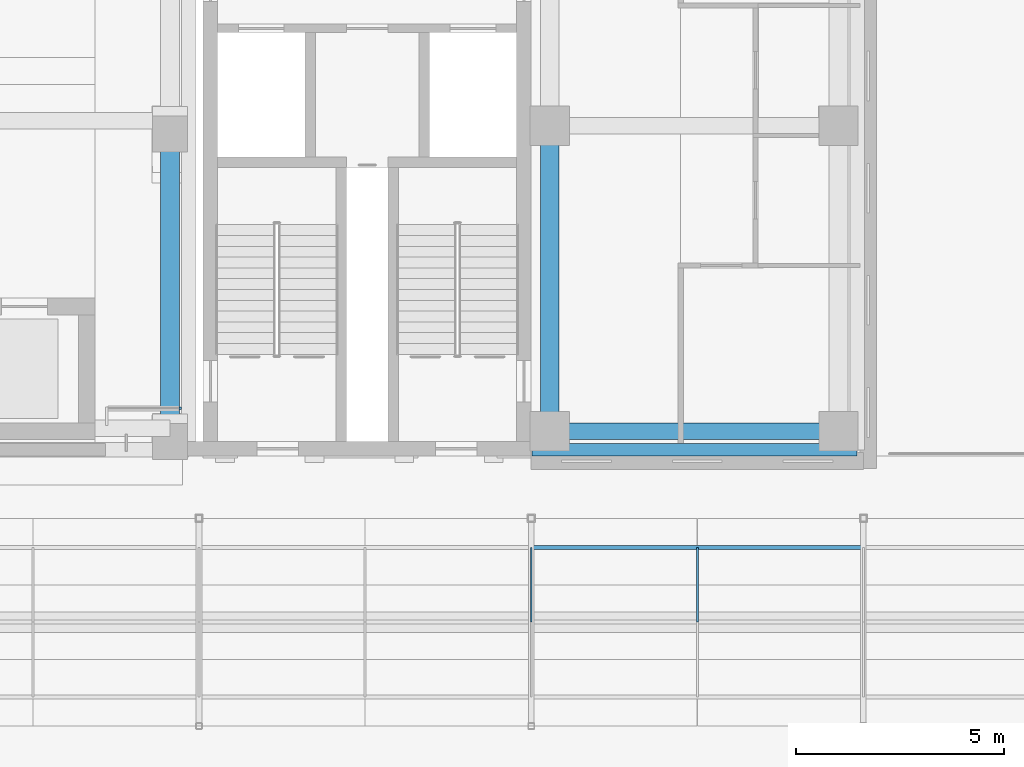
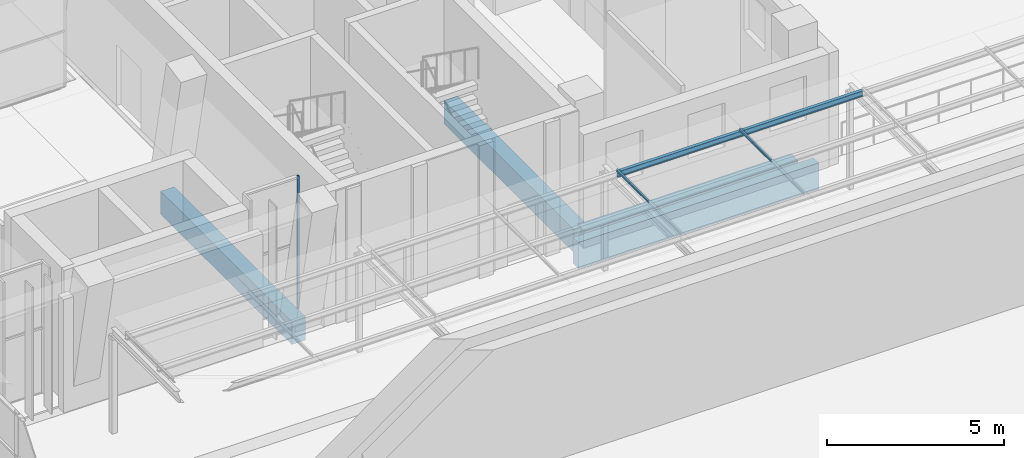
# One storey, part 42 of 144: 4 beams, 4 members, 1 element without a shape of its own.
"""IFC4 building model written with IfcOpenShell, lengths in metres."""

import ifcopenshell
import ifcopenshell.guid

model = None  # the IFC model being written
_history = None  # IfcOwnerHistory: only IFC2X3 demands one
_inside = {}  # id of a spatial element -> (the spatial element, [elements in it])
_under = {}  # id of a project, library or spatial element -> (it, [spatial elements below it])
_declared = {}  # id of a project -> (the project, [libraries it declares])
_typed = {}  # id of a type object -> (the type object, [elements of that type])
_made_of = {}  # id of a material, layer set ... -> (it, [elements and type objects made of it])


def new_model(schema):
    """Start an empty IFC model of exactly this schema.

    Asked for "IFC4X3", IfcOpenShell would pick the latest addendum, in which some entities
    have other attributes; the version numbers below select the first issue.
    IFC2X3 requires an IfcOwnerHistory on every rooted entity: one is made here for all.
    """
    global model, _history
    if schema == "IFC4X3":
        model = ifcopenshell.file(schema_version=(4, 3, 0, 0))
    else:
        model = ifcopenshell.file(schema=schema)
    _inside.clear()
    _under.clear()
    _declared.clear()
    _typed.clear()
    _made_of.clear()
    _history = None
    if model.schema == "IFC2X3":
        org = make("IfcOrganization", Name="unknown")
        user = make(
            "IfcPersonAndOrganization",
            ThePerson=make("IfcPerson", FamilyName="unknown"),
            TheOrganization=org,
        )
        app = make(
            "IfcApplication",
            ApplicationDeveloper=org,
            Version="unknown",
            ApplicationFullName="unknown",
            ApplicationIdentifier="unknown",
        )
        _history = make(
            "IfcOwnerHistory",
            OwningUser=user,
            OwningApplication=app,
            ChangeAction="ADDED",
            CreationDate=0,
        )
    return model


def make(cls, **values):
    """One entity of the class cls with the attributes given. An attribute that is None is left unset."""
    return model.create_entity(
        cls, **{name: value for name, value in values.items() if value is not None}
    )


def rooted(cls, **values):
    """An entity with a GlobalId (a new one), such as an element, a storey or a relation."""
    return make(cls, GlobalId=ifcopenshell.guid.new(), OwnerHistory=_history, **values)


def si_unit(unit_type, name, prefix=None):
    """IfcSIUnit, for example si_unit("LENGTHUNIT", "METRE", prefix="MILLI")."""
    return make("IfcSIUnit", UnitType=unit_type, Prefix=prefix, Name=name)


def assignment(units):
    """IfcUnitAssignment: the units of a project."""
    return None if units is None else make("IfcUnitAssignment", Units=units)


def point(xyz):
    """IfcCartesianPoint."""
    return None if xyz is None else make("IfcCartesianPoint", Coordinates=xyz)


def direction(xyz):
    """IfcDirection."""
    return None if xyz is None else make("IfcDirection", DirectionRatios=xyz)


def frame(location, z_axis=None, x_axis=None):
    """IfcAxis2Placement3D, a coordinate frame: its origin and axes. An axis left out is left unset."""
    return make(
        "IfcAxis2Placement3D",
        Location=point(location),
        Axis=direction(z_axis),
        RefDirection=direction(x_axis),
    )


def frame_2d(location, x_axis=None):
    """IfcAxis2Placement2D, a coordinate frame in the plane: its origin and x axis."""
    return make(
        "IfcAxis2Placement2D", Location=point(location), RefDirection=direction(x_axis)
    )


def origin():
    """The frame at (0, 0, 0) with its axes left unset."""
    return frame((0.0, 0.0, 0.0))


def origin_2d():
    """The frame at (0, 0) in the plane with its x axis left unset."""
    return frame_2d((0.0, 0.0))


def place(relative_to, where):
    """IfcLocalPlacement: puts the frame where relative to a parent placement (None: the world)."""
    return make(
        "IfcLocalPlacement", PlacementRelTo=relative_to, RelativePlacement=where
    )


def context(
    kind, dimensions, precision=None, world=None, true_north=None, identifier=None
):
    """IfcGeometricRepresentationContext, for example the 3D "Model" context."""
    return make(
        "IfcGeometricRepresentationContext",
        ContextIdentifier=identifier,
        ContextType=kind,
        CoordinateSpaceDimension=dimensions,
        Precision=precision,
        WorldCoordinateSystem=world,
        TrueNorth=true_north,
    )


def subcontext(parent, identifier, kind, view, scale=None):
    """IfcGeometricRepresentationSubContext, for example "Body" below "Model"."""
    return make(
        "IfcGeometricRepresentationSubContext",
        ContextIdentifier=identifier,
        ContextType=kind,
        ParentContext=parent,
        TargetScale=scale,
        TargetView=view,
    )


def project(units=None, contexts=None):
    """IfcProject with its units and contexts."""
    return rooted(
        "IfcProject",
        Name="project",
        RepresentationContexts=contexts,
        UnitsInContext=assignment(units),
    )


def spatial(cls, under=None, at=None, **own):
    """A site, building, storey or space (cls), placed at a placement, below another one or the project."""
    s = rooted(cls, ObjectPlacement=at, **own)
    if under is not None:
        _under.setdefault(under.id(), (under, []))[1].append(s)
    return s


def profile(cls, at=None, kind="AREA", **sizes):
    """A parametric profile (cls). Its sizes go by their IFC names, for example OverallWidth=200.0."""
    return make(cls, ProfileType=kind, Position=at, **sizes)


def rectangle(**sizes):
    """IfcRectangleProfileDef."""
    return profile("IfcRectangleProfileDef", **sizes)


def i_section(**sizes):
    """IfcIShapeProfileDef."""
    return profile("IfcIShapeProfileDef", **sizes)


def extrude(swept, where, along, depth):
    """IfcExtrudedAreaSolid: the profile swept, set in the frame where, extruded along a direction by depth."""
    return make(
        "IfcExtrudedAreaSolid",
        SweptArea=swept,
        Position=where,
        ExtrudedDirection=direction(along),
        Depth=depth,
    )


def shape(context_of_items, identifier, shape_type, items):
    """IfcShapeRepresentation: the items that make up one representation, for example the "Body"."""
    return make(
        "IfcShapeRepresentation",
        ContextOfItems=context_of_items,
        RepresentationIdentifier=identifier,
        RepresentationType=shape_type,
        Items=items,
    )


def material(Name=None, Category=None):
    """IfcMaterial."""
    return make("IfcMaterial", Name=Name, Category=Category)


def material_profile(
    of_material, cross_section, Name=None, Category=None, Priority=None
):
    """IfcMaterialProfile: a cross section and its material."""
    return make(
        "IfcMaterialProfile",
        Name=Name,
        Material=of_material,
        Profile=cross_section,
        Priority=Priority,
        Category=Category,
    )


def profile_set(profiles, Name=None, composite=None):
    """IfcMaterialProfileSet."""
    return make(
        "IfcMaterialProfileSet",
        Name=Name,
        MaterialProfiles=profiles,
        CompositeProfile=composite,
    )


def made_of(thing, what):
    """Note that an element or type object is made of a material, layer set ...; save() writes the relation."""
    if what is not None:
        _made_of.setdefault(what.id(), (what, []))[1].append(thing)
    return thing


def type_object(cls, material=None, **own):
    """A type object (cls), such as IfcWallType, which elements share."""
    return made_of(rooted(cls, **own), material)


def element(
    cls,
    number,
    at=None,
    inside=None,
    cuts=None,
    type_object=None,
    material=None,
    context=None,
    identifier="Body",
    shape_type=None,
    held_by="IfcProductDefinitionShape",
    body=None,
    shapes=None,
    **own,
):
    """One element of the class cls, such as IfcWall. Its Tag is "e" and its number.

    at: its placement. inside: the storey or other place that contains it. cuts: it is an
    opening in that element (IfcRelVoidsElement). A single representation is given by context,
    identifier, shape_type and body (its items); several are given by shapes. held_by: the class
    of the entity that holds the representations. save() writes the other relations.
    """
    e = rooted(cls, Tag="e%d" % number, ObjectPlacement=at, **own)
    if body is not None:
        shapes = [shape(context, identifier, shape_type, body)]
    if shapes is not None:
        e.Representation = make(held_by, Representations=shapes)
    if inside is not None:
        _inside.setdefault(inside.id(), (inside, []))[1].append(e)
    if cuts is not None:
        rooted(
            "IfcRelVoidsElement", RelatingBuildingElement=cuts, RelatedOpeningElement=e
        )
    if type_object is not None:
        _typed.setdefault(type_object.id(), (type_object, []))[1].append(e)
    return made_of(e, material)


def aggregate(whole, parts):
    """IfcRelAggregates: a whole, such as a stair, and the parts it consists of."""
    return rooted("IfcRelAggregates", RelatingObject=whole, RelatedObjects=parts)


def save(model, path):
    """Write the relations noted so far, then the file.

    IfcRelAggregates (storeys below a building ...), IfcRelContainedInSpatialStructure (elements
    in a storey), IfcRelDefinesByType, IfcRelAssociatesMaterial and IfcRelDeclares: one each for
    every whole, place, type object, material and project.
    """
    for whole, parts in _under.values():
        aggregate(whole, parts)
    for where, things in _inside.values():
        rooted(
            "IfcRelContainedInSpatialStructure",
            RelatedElements=things,
            RelatingStructure=where,
        )
    for kind, things in _typed.values():
        rooted("IfcRelDefinesByType", RelatedObjects=things, RelatingType=kind)
    for what, things in _made_of.values():
        rooted("IfcRelAssociatesMaterial", RelatedObjects=things, RelatingMaterial=what)
    for by, libraries in _declared.values():
        rooted("IfcRelDeclares", RelatingContext=by, RelatedDefinitions=libraries)
    model.write(path)


model = new_model("IFC4")

# Units and contexts
model_context = context("Model", 3, precision=1e-05, world=origin(), true_north=direction((0.0, 1.0)))
body_context = subcontext(model_context, "Body", "Model", "MODEL_VIEW")
ifc_project = project(units=[si_unit("LENGTHUNIT", "METRE"), si_unit("AREAUNIT", "SQUARE_METRE"), si_unit("VOLUMEUNIT", "CUBIC_METRE"), si_unit("PLANEANGLEUNIT", "RADIAN"), si_unit("MASSUNIT", "GRAM", prefix="KILO")], contexts=[model_context])

# Site, building, storey
site_placement = place(None, origin())
site = spatial("IfcSite", under=ifc_project, at=site_placement, CompositionType="ELEMENT")
building_placement = place(site_placement, origin())
building = spatial("IfcBuilding", under=site, at=building_placement, Name="Lantern Court Media Centre", CompositionType="ELEMENT")
storey_placement = place(building_placement, origin())
storey = spatial("IfcBuildingStorey", under=building, at=storey_placement, Name="L00", CompositionType="ELEMENT", Elevation=0.0)

# Members
ifc_material_1 = material(Name="Steel S355J2 (EN 10025-2)", Category="steel")
ifc_material_profile_1 = material_profile(ifc_material_1, i_section(OverallWidth=0.10009765625, OverallDepth=0.199951171875, WebThickness=0.005615234375, FlangeThickness=0.008544921875, FilletRadius=0.011962890625, at=origin_2d()), Name="IPE 200")
ifc_profile_set_1 = profile_set([ifc_material_profile_1], Name="Steel S355J2 (EN 10025-2)")
member_type_1 = type_object("IfcMemberType", Name="Cloister canopy purlin IPE 200", PredefinedType="PURLIN", material=ifc_profile_set_1)
member_1_placement = place(storey_placement, frame((88.0, 45.800048828125, 3.699951171875), z_axis=(1.0, 0.0, 0.0), x_axis=(0.0, 1.0, 0.0)))
element("IfcMember", 1, at=member_1_placement, inside=storey, type_object=member_type_1, Name="Cloister purlin 2-3-3", PredefinedType="PURLIN", context=body_context, shape_type="SweptSolid", body=[
    extrude(i_section(OverallWidth=0.10009765625, OverallDepth=0.199951171875, WebThickness=0.005615234375, FlangeThickness=0.008544921875, FilletRadius=0.011962890625, at=origin_2d()), origin(), (0.0, 0.0, 1.0), 8.0),
])
ifc_material_profile_2 = material_profile(ifc_material_1, i_section(OverallWidth=0.0458984375, OverallDepth=0.080078125, WebThickness=0.00390625, FlangeThickness=0.005126953125, FilletRadius=0.0048828125, at=origin_2d()), Name="IPE 80")
ifc_profile_set_2 = profile_set([ifc_material_profile_2], Name="Steel S355J2 (EN 10025-2)")
member_type_2 = type_object("IfcMemberType", Name="Cloister sheeting rail IPE 80", PredefinedType="STRUT", material=ifc_profile_set_2)
for number, where, z_axis, x_axis, name in (
    (2, (88.0, 44.0, 3.840087890625), (0.0, 1.0, 0.0), (-1.0, 0.0, 0.0), "Cloister sheeting rail 2-5-2"),
    (3, (92.0, 44.0, 3.840087890625), (0.0, 1.0, 0.0), (-1.0, 0.0, 0.0), "Cloister sheeting rail 2-6-2"),
):
    element("IfcMember", number, at=place(storey_placement, frame(where, z_axis=z_axis, x_axis=x_axis)), inside=storey, type_object=member_type_2, Name=name, PredefinedType="STRUT", context=body_context, shape_type="SweptSolid", body=[
        extrude(i_section(OverallWidth=0.0458984375, OverallDepth=0.080078125, WebThickness=0.00390625, FlangeThickness=0.005126953125, FilletRadius=0.0048828125, at=origin_2d()), origin(), (0.0, 0.0, 1.0), 1.800048828125),
    ])

# Curtain wall, member
ifc_material_2 = material(Name="Curtain wall bay 3000")
curtain_wall_type = type_object("IfcCurtainWallType", Name="Curtain wall bay 3000", PredefinedType="NOTDEFINED", material=ifc_material_2)
curtain_wall_placement = place(storey_placement, origin())
curtain_wall = element("IfcCurtainWall", 4, at=curtain_wall_placement, inside=storey, type_object=curtain_wall_type, Name="Curtain wall S outer L00", PredefinedType="NOTDEFINED")
ifc_material_3 = material(Name="Anodised aluminium", Category="aluminium")
ifc_material_profile_3 = material_profile(ifc_material_3, rectangle(XDim=0.06005859375, YDim=0.06005859375, at=origin_2d()), Name="AL 60x60")
ifc_profile_set_3 = profile_set([ifc_material_profile_3], Name="Anodised aluminium")
member_type_3 = type_object("IfcMemberType", Name="Curtain wall mullion 60x60", PredefinedType="MULLION", material=ifc_profile_set_3)
member_2_placement = place(storey_placement, frame((79.550048828125, 49.14990234375, 0.0), z_axis=(0.0, 0.0, 1.0), x_axis=(0.0, 1.0, 0.0)))
member_2 = element("IfcMember", 5, at=member_2_placement, type_object=member_type_3, Name="CW1 mullion 2", PredefinedType="MULLION", context=body_context, shape_type="SweptSolid", body=[
    extrude(rectangle(XDim=0.06005859375, YDim=0.06005859375, at=origin_2d()), origin(), (0.0, 0.0, 1.0), 4.580078125),
])
aggregate(curtain_wall, [member_2])

# Beams
ifc_material_4 = material(Name="Concrete C35", Category="concrete")
ifc_material_profile_4 = material_profile(ifc_material_4, rectangle(XDim=0.300048828125, YDim=0.89990234375, at=origin_2d()), Name="RC 300x900")
ifc_profile_set_4 = profile_set([ifc_material_profile_4], Name="Concrete C35")
beam_type_1 = type_object("IfcBeamType", Name="RC BEAM 300x900", PredefinedType="BEAM", material=ifc_profile_set_4)
beam_1_placement = place(storey_placement, frame((88.02001953125, 48.14990234375, -0.449951171875), z_axis=(1.0, 0.0, 0.0), x_axis=(0.0, 1.0, 0.0)))
element("IfcBeam", 6, at=beam_1_placement, inside=storey, type_object=beam_type_1, Name="EB-SE-L00-S", PredefinedType="BEAM", context=body_context, shape_type="SweptSolid", body=[
    extrude(rectangle(XDim=0.300048828125, YDim=0.89990234375, at=origin_2d()), origin(), (0.0, 0.0, 1.0), 7.830078125),
])
ifc_material_profile_5 = material_profile(ifc_material_4, rectangle(XDim=0.39990234375, YDim=0.800048828125, at=origin_2d()), Name="RC 400x800")
ifc_profile_set_5 = profile_set([ifc_material_profile_5], Name="Concrete C35")
beam_type_2 = type_object("IfcBeamType", Name="RC BEAM 400x800", PredefinedType="BEAM", material=ifc_profile_set_5)
beam_2_placement = place(storey_placement, frame((88.449951171875, 48.60009765625, -0.39990234375), z_axis=(1.0, 0.0, 0.0), x_axis=(0.0, 1.0, 0.0)))
element("IfcBeam", 7, at=beam_2_placement, inside=storey, type_object=beam_type_2, Name="BB-SE-L00-Y0-48", PredefinedType="BEAM", context=body_context, shape_type="SweptSolid", body=[
    extrude(rectangle(XDim=0.39990234375, YDim=0.800048828125, at=origin_2d()), origin(), (0.0, 0.0, 1.0), 6.949951171875),
])
ifc_material_profile_6 = material_profile(ifc_material_4, rectangle(XDim=0.449951171875, YDim=0.800048828125, at=origin_2d()), Name="RC 450x800")
ifc_profile_set_6 = profile_set([ifc_material_profile_6], Name="Concrete C35")
beam_type_3 = type_object("IfcBeamType", Name="RC BEAM 450x800", PredefinedType="BEAM", material=ifc_profile_set_6)
beam_3_placement = place(storey_placement, frame((88.449951171875, 48.60009765625, -0.39990234375), z_axis=(0.0, 1.0, 0.0), x_axis=(-1.0, 0.0, 0.0)))
element("IfcBeam", 8, at=beam_3_placement, inside=storey, type_object=beam_type_3, Name="BB-SE-L00-X0-88", PredefinedType="BEAM", context=body_context, shape_type="SweptSolid", body=[
    extrude(rectangle(XDim=0.449951171875, YDim=0.800048828125, at=origin_2d()), origin(), (0.0, 0.0, 1.0), 7.349853515625),
])
beam_4_placement = place(storey_placement, frame((79.300048828125, 48.683349609375, -0.39990234375), z_axis=(0.0, 1.0, 0.0), x_axis=(-1.0, 0.0, 0.0)))
element("IfcBeam", 9, at=beam_4_placement, inside=storey, type_object=beam_type_3, Name="TB-S-L00-7-1", PredefinedType="BEAM", context=body_context, shape_type="SweptSolid", body=[
    extrude(rectangle(XDim=0.449951171875, YDim=0.800048828125, at=origin_2d()), origin(), (0.0, 0.0, 1.0), 7.39990234375),
])

save(model, "model.ifc")
